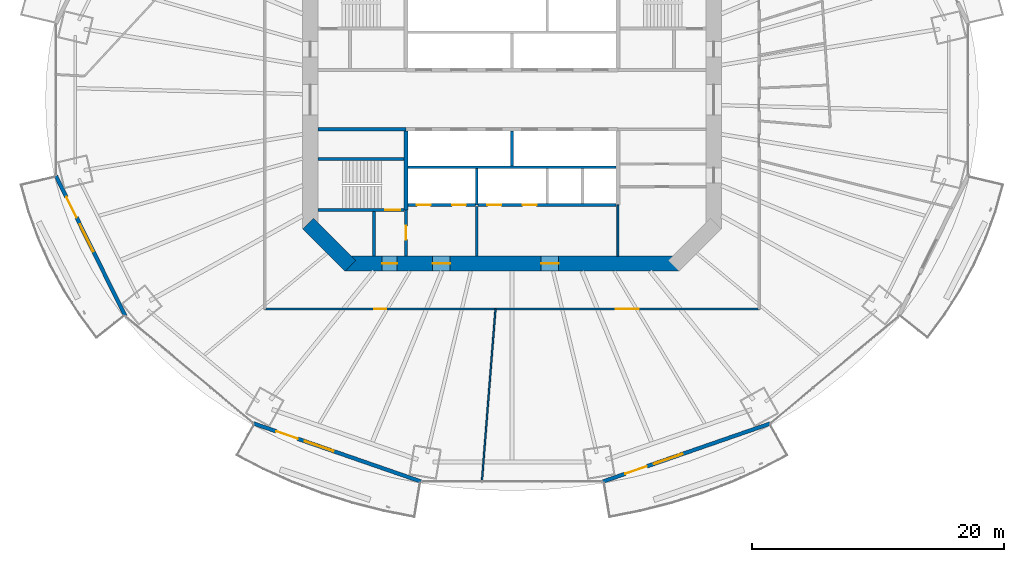
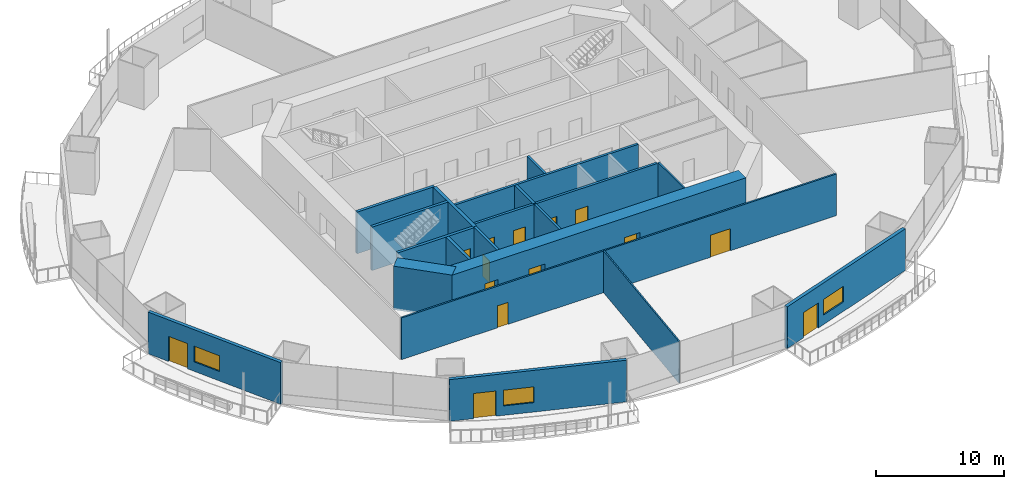
# One storey, part 14 of 23: 20 walls, 14 doors, 3 windows, 17 openings.
"""IFC4 building model written with IfcOpenShell, lengths in metres."""

from ifc_helpers import new_model, si_unit, direction, frame, frame_2d, origin, place, context, subcontext, project, spatial, rectangle, extrude, material, layer, layer_set, type_object, element, fill, save


model = new_model("IFC4")

# Units and contexts
model_context = context("Model", 3, precision=1e-05, world=origin(), true_north=direction((0.0, 1.0)))
body_context = subcontext(model_context, "Body", "Model", "MODEL_VIEW")
ifc_project = project(units=[si_unit("LENGTHUNIT", "METRE"), si_unit("AREAUNIT", "SQUARE_METRE"), si_unit("VOLUMEUNIT", "CUBIC_METRE"), si_unit("PLANEANGLEUNIT", "RADIAN"), si_unit("MASSUNIT", "GRAM", prefix="KILO")], contexts=[model_context])

# Site, building, storey
site_placement = place(None, origin())
site = spatial("IfcSite", under=ifc_project, at=site_placement, CompositionType="ELEMENT")
building_placement = place(site_placement, origin())
building = spatial("IfcBuilding", under=site, at=building_placement, Name="Marenthal Gate Tower", CompositionType="ELEMENT")
storey_placement = place(building_placement, frame((0.0, 0.0, 41.300048828125)))
storey = spatial("IfcBuildingStorey", under=building, at=storey_placement, Name="L06", CompositionType="ELEMENT", Elevation=41.300048828125)

# Wall
ifc_material_1 = material(Name="Concrete 60 MPa", Category="concrete")
ifc_layer_1 = layer(ifc_material_1, 1.199951171875)
ifc_layer_set_1 = layer_set([ifc_layer_1], Name="Core shear wall 1200")
wall_type_1 = type_object("IfcWallType", Name="Core shear wall 1200", PredefinedType="SHEAR", material=ifc_layer_set_1)
wall_1_placement = place(storey_placement, frame((-16.17578125, -9.82421875, -0.179931640625), z_axis=(0.0, 0.0, 1.0), x_axis=(0.707106781187, -0.707106781187, 0.0)))
element("IfcWall", 1, at=wall_1_placement, inside=storey, type_object=wall_type_1, Name="Core wall 07", PredefinedType="SHEAR", context=body_context, shape_type="SweptSolid", body=[
    extrude(rectangle(XDim=4.73974609375, YDim=1.199951171875, at=frame_2d((2.369873046875, 0.0))), origin(), (0.0, 0.0, 1.0), 4.14990234375),
])

# Wall, openings, doors
wall_2_placement = place(storey_placement, frame((-13.24853515625, -13.0, -0.179931640625), z_axis=(0.0, 0.0, 1.0), x_axis=(1.0, 0.0, 0.0)))
wall_2 = element("IfcWall", 2, at=wall_2_placement, inside=storey, type_object=wall_type_1, Name="Core wall 08", PredefinedType="SHEAR", context=body_context, shape_type="SweptSolid", body=[
    extrude(rectangle(XDim=26.4970703125, YDim=1.199951171875, at=frame_2d((13.24853515625, 0.0))), origin(), (0.0, 0.0, 1.0), 4.14990234375),
])
opening_1_placement = place(wall_2_placement, frame((2.948486328125, 0.0, 0.179931640625)))
opening_1 = element("IfcOpeningElement", 3, at=opening_1_placement, cuts=wall_2, Name="Opening D001.06", PredefinedType="OPENING", context=body_context, shape_type="SweptSolid", body=[
    extrude(rectangle(XDim=1.199951171875, YDim=2.10009765625, at=frame_2d((0.60009765625, 1.050048828125))), frame((0.0, 0.60986328125, 0.0), z_axis=(0.0, -1.0, 0.0), x_axis=(1.0, 0.0, 0.0)), (0.0, 0.0, 1.0), 1.219970703125),
])
opening_2_placement = place(wall_2_placement, frame((6.948486328125, 0.0, 0.179931640625)))
opening_2 = element("IfcOpeningElement", 4, at=opening_2_placement, cuts=wall_2, Name="Opening D004.01", PredefinedType="OPENING", context=body_context, shape_type="SweptSolid", body=[
    extrude(rectangle(XDim=1.39990234375, YDim=2.10009765625, at=frame_2d((0.699951171875, 1.050048828125))), frame((0.0, 0.60986328125, 0.0), z_axis=(0.0, -1.0, 0.0), x_axis=(1.0, 0.0, 0.0)), (0.0, 0.0, 1.0), 1.219970703125),
])
opening_3_placement = place(wall_2_placement, frame((15.548583984375, 0.0, 0.179931640625)))
opening_3 = element("IfcOpeningElement", 5, at=opening_3_placement, cuts=wall_2, Name="Opening D004.02", PredefinedType="OPENING", context=body_context, shape_type="SweptSolid", body=[
    extrude(rectangle(XDim=1.39990234375, YDim=2.10009765625, at=frame_2d((0.699951171875, 1.050048828125))), frame((0.0, 0.60986328125, 0.0), z_axis=(0.0, -1.0, 0.0), x_axis=(1.0, 0.0, 0.0)), (0.0, 0.0, 1.0), 1.219970703125),
])
ifc_material_2 = material(Name="Steel fire door", Category="steel")
door_type_1 = type_object("IfcDoorType", Name="Fire door FD 45 1400 x 2100", OperationType="NOTDEFINED", PredefinedType="DOOR", material=ifc_material_2)
door_1_placement = place(opening_2_placement, origin())
door_1 = element("IfcDoor", 6, at=door_1_placement, inside=storey, type_object=door_type_1, Name="Door D004.01", OperationType="SINGLE_SWING_RIGHT", OverallHeight=2.10009765625, OverallWidth=1.39990234375, PredefinedType="DOOR", context=body_context, shape_type="SweptSolid", body=[
    extrude(rectangle(XDim=1.39990234375, YDim=2.10009765625, at=frame_2d((0.699951171875, 1.050048828125))), frame((0.0, 0.02490234375, 0.0), z_axis=(0.0, -1.0, 0.0), x_axis=(1.0, 0.0, 0.0)), (0.0, 0.0, 1.0), 0.050048828125),
])
fill(opening_2, door_1)
door_2_placement = place(opening_3_placement, origin())
door_2 = element("IfcDoor", 7, at=door_2_placement, inside=storey, type_object=door_type_1, Name="Door D004.02", OperationType="SINGLE_SWING_RIGHT", OverallHeight=2.10009765625, OverallWidth=1.39990234375, PredefinedType="DOOR", context=body_context, shape_type="SweptSolid", body=[
    extrude(rectangle(XDim=1.39990234375, YDim=2.10009765625, at=frame_2d((0.699951171875, 1.050048828125))), frame((0.0, 0.02490234375, 0.0), z_axis=(0.0, -1.0, 0.0), x_axis=(1.0, 0.0, 0.0)), (0.0, 0.0, 1.0), 0.050048828125),
])
fill(opening_3, door_2)
ifc_material_3 = material(Name="Steel fire door", Category="steel")
door_type_2 = type_object("IfcDoorType", Name="Fire door FD 90 1200 x 2100", OperationType="NOTDEFINED", PredefinedType="DOOR", material=ifc_material_3)
door_3_placement = place(opening_1_placement, origin())
door_3 = element("IfcDoor", 8, at=door_3_placement, inside=storey, type_object=door_type_2, Name="Door D001.06", OperationType="SINGLE_SWING_RIGHT", OverallHeight=2.10009765625, OverallWidth=1.199951171875, PredefinedType="DOOR", context=body_context, shape_type="SweptSolid", body=[
    extrude(rectangle(XDim=1.199951171875, YDim=2.10009765625, at=frame_2d((0.60009765625, 1.050048828125))), frame((0.0, 0.02490234375, 0.0), z_axis=(0.0, -1.0, 0.0), x_axis=(1.0, 0.0, 0.0)), (0.0, 0.0, 1.0), 0.050048828125),
])
fill(opening_1, door_3)

# Walls
ifc_material_4 = material(Name="Gypsum board on steel studs", Category="steel")
ifc_layer_2 = layer(ifc_material_4, 0.199951171875)
ifc_layer_set_2 = layer_set([ifc_layer_2], Name="Fire lobby wall 200")
wall_type_2 = type_object("IfcWallType", Name="Fire lobby wall 200", PredefinedType="PARTITIONING", material=ifc_layer_set_2)
wall_3_placement = place(storey_placement, frame((-2.800048828125, -12.39990234375, 0.0), z_axis=(0.0, 0.0, 1.0), x_axis=(0.0, 1.0, 0.0)))
element("IfcWall", 9, at=wall_3_placement, inside=storey, type_object=wall_type_2, Name="Fire wall 35", PredefinedType="PARTITIONING", context=body_context, shape_type="SweptSolid", body=[
    extrude(rectangle(XDim=3.93994140625, YDim=0.199951171875, at=frame_2d((1.969970703125, 0.0))), origin(), (0.0, 0.0, 1.0), 3.969970703125),
])
ifc_material_5 = material(Name="Concrete 50 MPa", Category="concrete")
ifc_layer_3 = layer(ifc_material_5, 0.300048828125)
ifc_layer_set_3 = layer_set([ifc_layer_3], Name="Hoistway shear wall 300")
wall_type_3 = type_object("IfcWallType", Name="Hoistway shear wall 300", PredefinedType="SHEAR", material=ifc_layer_set_3)
wall_4_placement = place(storey_placement, frame((-8.39990234375, -8.75, -0.179931640625), z_axis=(0.0, 0.0, 1.0), x_axis=(0.0, 1.0, 0.0)))
element("IfcWall", 10, at=wall_4_placement, inside=storey, type_object=wall_type_3, Name="Hoistway wall 31", PredefinedType="SHEAR", context=body_context, shape_type="SweptSolid", body=[
    extrude(rectangle(XDim=6.25, YDim=0.300048828125, at=frame_2d((3.125, 0.0))), origin(), (0.0, 0.0, 1.0), 4.14990234375),
])

# Wall, openings, doors
ifc_material_6 = material(Name="Concrete 40 MPa", Category="concrete")
ifc_layer_4 = layer(ifc_material_6, 0.219970703125)
ifc_layer_set_4 = layer_set([ifc_layer_4], Name="Hoistway wall 220")
wall_type_4 = type_object("IfcWallType", Name="Hoistway wall 220", PredefinedType="STANDARD", material=ifc_layer_set_4)
wall_5_placement = place(storey_placement, frame((-8.25, -8.35009765625, 0.0), z_axis=(0.0, 0.0, 1.0), x_axis=(1.0, 0.0, 0.0)))
wall_5 = element("IfcWall", 11, at=wall_5_placement, inside=storey, type_object=wall_type_4, Name="Hoistway wall 10", PredefinedType="STANDARD", context=body_context, shape_type="SweptSolid", body=[
    extrude(rectangle(XDim=5.340087890625, YDim=0.219970703125, at=frame_2d((2.669921875, 0.0))), origin(), (0.0, 0.0, 1.0), 3.969970703125),
])
opening_4_placement = place(wall_5_placement, frame((0.699951171875, 0.0, 0.0)))
opening_4 = element("IfcOpeningElement", 12, at=opening_4_placement, cuts=wall_5, Name="Opening LD-LF1", PredefinedType="OPENING", context=body_context, shape_type="SweptSolid", body=[
    extrude(rectangle(XDim=1.10009765625, YDim=2.10009765625, at=frame_2d((0.550048828125, 1.050048828125))), frame((0.0, 0.1201171875, 0.0), z_axis=(0.0, -1.0, 0.0), x_axis=(1.0, 0.0, 0.0)), (0.0, 0.0, 1.0), 0.239990234375),
])
opening_5_placement = place(wall_5_placement, frame((3.5, 0.0, 0.0)))
opening_5 = element("IfcOpeningElement", 13, at=opening_5_placement, cuts=wall_5, Name="Opening LD-LF2", PredefinedType="OPENING", context=body_context, shape_type="SweptSolid", body=[
    extrude(rectangle(XDim=1.10009765625, YDim=2.10009765625, at=frame_2d((0.550048828125, 1.050048828125))), frame((0.0, 0.1201171875, 0.0), z_axis=(0.0, -1.0, 0.0), x_axis=(1.0, 0.0, 0.0)), (0.0, 0.0, 1.0), 0.239990234375),
])
ifc_material_7 = material(Name="Stainless steel sliding door", Category="steel")
door_type_3 = type_object("IfcDoorType", Name="Lift landing door FD 90 1100 x 2100", OperationType="DOUBLE_DOOR_SLIDING", PredefinedType="DOOR", material=ifc_material_7)
door_4_placement = place(opening_4_placement, origin())
door_4 = element("IfcDoor", 14, at=door_4_placement, inside=storey, type_object=door_type_3, Name="Lift landing door LF1", OperationType="DOUBLE_DOOR_SLIDING", OverallHeight=2.10009765625, OverallWidth=1.10009765625, PredefinedType="DOOR", context=body_context, shape_type="SweptSolid", body=[
    extrude(rectangle(XDim=1.10009765625, YDim=2.10009765625, at=frame_2d((0.550048828125, 1.050048828125))), frame((0.0, 0.02490234375, 0.0), z_axis=(0.0, -1.0, 0.0), x_axis=(1.0, 0.0, 0.0)), (0.0, 0.0, 1.0), 0.050048828125),
])
fill(opening_4, door_4)
door_5_placement = place(opening_5_placement, origin())
door_5 = element("IfcDoor", 15, at=door_5_placement, inside=storey, type_object=door_type_3, Name="Lift landing door LF2", OperationType="DOUBLE_DOOR_SLIDING", OverallHeight=2.10009765625, OverallWidth=1.10009765625, PredefinedType="DOOR", context=body_context, shape_type="SweptSolid", body=[
    extrude(rectangle(XDim=1.10009765625, YDim=2.10009765625, at=frame_2d((0.550048828125, 1.050048828125))), frame((0.0, 0.02490234375, 0.0), z_axis=(0.0, -1.0, 0.0), x_axis=(1.0, 0.0, 0.0)), (0.0, 0.0, 1.0), 0.050048828125),
])
fill(opening_5, door_5)

wall_6_placement = place(storey_placement, frame((-2.68994140625, -8.35009765625, 0.0), z_axis=(0.0, 0.0, 1.0), x_axis=(1.0, 0.0, 0.0)))
wall_6 = element("IfcWall", 16, at=wall_6_placement, inside=storey, type_object=wall_type_4, Name="Hoistway wall 11", PredefinedType="STANDARD", context=body_context, shape_type="SweptSolid", body=[
    extrude(rectangle(XDim=10.93994140625, YDim=0.219970703125, at=frame_2d((5.469970703125, 0.0))), origin(), (0.0, 0.0, 1.0), 3.969970703125),
])
opening_6_placement = place(wall_6_placement, frame((0.739990234375, 0.0, 0.0)))
opening_6 = element("IfcOpeningElement", 17, at=opening_6_placement, cuts=wall_6, Name="Opening LD-SV1", PredefinedType="OPENING", context=body_context, shape_type="SweptSolid", body=[
    extrude(rectangle(XDim=1.10009765625, YDim=2.10009765625, at=frame_2d((0.550048828125, 1.050048828125))), frame((0.0, 0.1201171875, 0.0), z_axis=(0.0, -1.0, 0.0), x_axis=(1.0, 0.0, 0.0)), (0.0, 0.0, 1.0), 0.239990234375),
])
opening_7_placement = place(wall_6_placement, frame((3.5400390625, 0.0, 0.0)))
opening_7 = element("IfcOpeningElement", 18, at=opening_7_placement, cuts=wall_6, Name="Opening LD-SV2", PredefinedType="OPENING", context=body_context, shape_type="SweptSolid", body=[
    extrude(rectangle(XDim=1.10009765625, YDim=2.10009765625, at=frame_2d((0.550048828125, 1.050048828125))), frame((0.0, 0.1201171875, 0.0), z_axis=(0.0, -1.0, 0.0), x_axis=(1.0, 0.0, 0.0)), (0.0, 0.0, 1.0), 0.239990234375),
])
door_6_placement = place(opening_6_placement, origin())
door_6 = element("IfcDoor", 19, at=door_6_placement, inside=storey, type_object=door_type_3, Name="Lift landing door SV1", OperationType="DOUBLE_DOOR_SLIDING", OverallHeight=2.10009765625, OverallWidth=1.10009765625, PredefinedType="DOOR", context=body_context, shape_type="SweptSolid", body=[
    extrude(rectangle(XDim=1.10009765625, YDim=2.10009765625, at=frame_2d((0.550048828125, 1.050048828125))), frame((0.0, 0.02490234375, 0.0), z_axis=(0.0, -1.0, 0.0), x_axis=(1.0, 0.0, 0.0)), (0.0, 0.0, 1.0), 0.050048828125),
])
fill(opening_6, door_6)
door_7_placement = place(opening_7_placement, origin())
door_7 = element("IfcDoor", 20, at=door_7_placement, inside=storey, type_object=door_type_3, Name="Lift landing door SV2", OperationType="DOUBLE_DOOR_SLIDING", OverallHeight=2.10009765625, OverallWidth=1.10009765625, PredefinedType="DOOR", context=body_context, shape_type="SweptSolid", body=[
    extrude(rectangle(XDim=1.10009765625, YDim=2.10009765625, at=frame_2d((0.550048828125, 1.050048828125))), frame((0.0, 0.02490234375, 0.0), z_axis=(0.0, -1.0, 0.0), x_axis=(1.0, 0.0, 0.0)), (0.0, 0.0, 1.0), 0.050048828125),
])
fill(opening_7, door_7)

# Walls
wall_7_placement = place(storey_placement, frame((-8.25, -5.35009765625, 0.0), z_axis=(0.0, 0.0, 1.0), x_axis=(1.0, 0.0, 0.0)))
element("IfcWall", 21, at=wall_7_placement, inside=storey, type_object=wall_type_4, Name="Hoistway wall 13", PredefinedType="STANDARD", context=body_context, shape_type="SweptSolid", body=[
    extrude(rectangle(XDim=16.5, YDim=0.219970703125, at=frame_2d((8.25, 0.0))), origin(), (0.0, 0.0, 1.0), 3.969970703125),
])
wall_8_placement = place(storey_placement, frame((-2.800048828125, -8.35009765625, 0.0), z_axis=(0.0, 0.0, 1.0), x_axis=(0.0, 1.0, 0.0)))
element("IfcWall", 22, at=wall_8_placement, inside=storey, type_object=wall_type_4, Name="Hoistway wall 36", PredefinedType="STANDARD", context=body_context, shape_type="SweptSolid", body=[
    extrude(rectangle(XDim=2.89013671875, YDim=0.219970703125, at=frame_2d((1.445068359375, 0.0))), origin(), (0.0, 0.0, 1.0), 3.969970703125),
])
wall_9_placement = place(storey_placement, frame((0.0, -5.239990234375, 0.0), z_axis=(0.0, 0.0, 1.0), x_axis=(0.0, 1.0, 0.0)))
element("IfcWall", 23, at=wall_9_placement, inside=storey, type_object=wall_type_4, Name="Hoistway wall 37", PredefinedType="STANDARD", context=body_context, shape_type="SweptSolid", body=[
    extrude(rectangle(XDim=2.739990234375, YDim=0.219970703125, at=frame_2d((1.3701171875, 0.0))), origin(), (0.0, 0.0, 1.0), 3.969970703125),
])
ifc_material_8 = material(Name="Gypsum board on steel studs", Category="steel")
ifc_layer_5 = layer(ifc_material_8, 0.1201171875)
ifc_layer_set_5 = layer_set([ifc_layer_5], Name="Partition 120")
wall_type_5 = type_object("IfcWallType", Name="Partition 120", PredefinedType="PARTITIONING", material=ifc_layer_set_5)
wall_10_placement = place(storey_placement, frame((-1.30908203125, -16.60009765625, 0.0), z_axis=(0.0, 0.0, 1.0), x_axis=(-0.078600169401, -0.996906220951, 0.0)))
element("IfcWall", 24, at=wall_10_placement, inside=storey, type_object=wall_type_5, Name="Partition wall 53", PredefinedType="PARTITIONING", context=body_context, shape_type="SweptSolid", body=[
    extrude(rectangle(XDim=13.72900390625, YDim=0.1201171875, at=frame_2d((6.864501953125, 0.0))), origin(), (0.0, 0.0, 1.0), 3.969970703125),
])
ifc_material_9 = material(Name="Gypsum board on steel studs", Category="steel")
ifc_layer_6 = layer(ifc_material_9, 0.14990234375)
ifc_layer_set_6 = layer_set([ifc_layer_6], Name="Partition 150")
wall_type_6 = type_object("IfcWallType", Name="Partition 150", PredefinedType="PARTITIONING", material=ifc_layer_set_6)
wall_11_placement = place(storey_placement, frame((8.39990234375, -12.39990234375, 0.0), z_axis=(0.0, 0.0, 1.0), x_axis=(0.0, 1.0, 0.0)))
element("IfcWall", 25, at=wall_11_placement, inside=storey, type_object=wall_type_6, Name="Partition wall 42", PredefinedType="PARTITIONING", context=body_context, shape_type="SweptSolid", body=[
    extrude(rectangle(XDim=4.0498046875, YDim=0.14990234375, at=frame_2d((2.02490234375, 0.0))), origin(), (0.0, 0.0, 1.0), 3.969970703125),
])

# Wall, openings, doors
wall_12_placement = place(storey_placement, frame((19.60009765625, -16.60009765625, 0.0), z_axis=(0.0, 0.0, 1.0), x_axis=(-1.0, 0.0, 0.0)))
wall_12 = element("IfcWall", 26, at=wall_12_placement, inside=storey, type_object=wall_type_6, Name="Partition wall 54", PredefinedType="PARTITIONING", context=body_context, shape_type="SweptSolid", body=[
    extrude(rectangle(XDim=39.2001953125, YDim=0.14990234375, at=frame_2d((19.60009765625, 0.0))), origin(), (0.0, 0.0, 1.0), 3.969970703125),
])
opening_8_placement = place(wall_12_placement, frame((29.580078125, 0.0, 0.0)))
opening_8 = element("IfcOpeningElement", 27, at=opening_8_placement, cuts=wall_12, Name="Opening D016.02", PredefinedType="OPENING", context=body_context, shape_type="SweptSolid", body=[
    extrude(rectangle(XDim=0.949951171875, YDim=2.10009765625, at=frame_2d((0.47509765625, 1.050048828125))), frame((0.0, 0.0849609375, 0.0), z_axis=(0.0, -1.0, 0.0), x_axis=(1.0, 0.0, 0.0)), (0.0, 0.0, 1.0), 0.169921875),
])
opening_9_placement = place(wall_12_placement, frame((9.554931640625, 0.0, 0.0)))
opening_9 = element("IfcOpeningElement", 28, at=opening_9_placement, cuts=wall_12, Name="Opening D014.03", PredefinedType="OPENING", context=body_context, shape_type="SweptSolid", body=[
    extrude(rectangle(XDim=1.800048828125, YDim=2.10009765625, at=frame_2d((0.89990234375, 1.050048828125))), frame((0.0, 0.0849609375, 0.0), z_axis=(0.0, -1.0, 0.0), x_axis=(1.0, 0.0, 0.0)), (0.0, 0.0, 1.0), 0.169921875),
])
ifc_material_10 = material(Name="Timber door", Category="wood")
door_type_4 = type_object("IfcDoorType", Name="Door 950 x 2100", OperationType="NOTDEFINED", PredefinedType="DOOR", material=ifc_material_10)
door_8_placement = place(opening_8_placement, origin())
door_8 = element("IfcDoor", 29, at=door_8_placement, inside=storey, type_object=door_type_4, Name="Door D016.02", OperationType="SINGLE_SWING_RIGHT", OverallHeight=2.10009765625, OverallWidth=0.949951171875, PredefinedType="DOOR", context=body_context, shape_type="SweptSolid", body=[
    extrude(rectangle(XDim=0.949951171875, YDim=2.10009765625, at=frame_2d((0.47509765625, 1.050048828125))), frame((0.0, 0.02490234375, 0.0), z_axis=(0.0, -1.0, 0.0), x_axis=(1.0, 0.0, 0.0)), (0.0, 0.0, 1.0), 0.050048828125),
])
fill(opening_8, door_8)
ifc_material_11 = material(Name="Timber door", Category="wood")
door_type_5 = type_object("IfcDoorType", Name="Double door 1800 x 2100", OperationType="DOUBLE_DOOR_SINGLE_SWING", PredefinedType="DOOR", material=ifc_material_11)
door_9_placement = place(opening_9_placement, origin())
door_9 = element("IfcDoor", 30, at=door_9_placement, inside=storey, type_object=door_type_5, Name="Door D014.03", OperationType="DOUBLE_DOOR_SINGLE_SWING", OverallHeight=2.10009765625, OverallWidth=1.800048828125, PredefinedType="DOOR", context=body_context, shape_type="SweptSolid", body=[
    extrude(rectangle(XDim=1.800048828125, YDim=2.10009765625, at=frame_2d((0.89990234375, 1.050048828125))), frame((0.0, 0.02490234375, 0.0), z_axis=(0.0, -1.0, 0.0), x_axis=(1.0, 0.0, 0.0)), (0.0, 0.0, 1.0), 0.050048828125),
])
fill(opening_9, door_9)

# Walls
ifc_material_12 = material(Name="Concrete 40 MPa", Category="concrete")
ifc_layer_7 = layer(ifc_material_12, 0.25)
ifc_layer_set_7 = layer_set([ifc_layer_7], Name="Stair enclosure wall 250")
wall_type_7 = type_object("IfcWallType", Name="Stair enclosure wall 250", PredefinedType="STANDARD", material=ifc_layer_set_7)
wall_13_placement = place(storey_placement, frame((-15.39990234375, -2.35009765625, 0.0), z_axis=(0.0, 0.0, 1.0), x_axis=(1.0, 0.0, 0.0)))
element("IfcWall", 31, at=wall_13_placement, inside=storey, type_object=wall_type_7, Name="Stair wall 16", PredefinedType="STANDARD", context=body_context, shape_type="SweptSolid", body=[
    extrude(rectangle(XDim=7.0, YDim=0.25, at=frame_2d((3.5, 0.0))), origin(), (0.0, 0.0, 1.0), 3.969970703125),
])
wall_14_placement = place(storey_placement, frame((-10.949951171875, -12.39990234375, 0.0), z_axis=(0.0, 0.0, 1.0), x_axis=(0.0, 1.0, 0.0)))
element("IfcWall", 32, at=wall_14_placement, inside=storey, type_object=wall_type_7, Name="Stair wall 29", PredefinedType="STANDARD", context=body_context, shape_type="SweptSolid", body=[
    extrude(rectangle(XDim=3.52490234375, YDim=0.25, at=frame_2d((1.762451171875, 0.0))), origin(), (0.0, 0.0, 1.0), 3.969970703125),
])

# Wall, opening, door
wall_15_placement = place(storey_placement, frame((-8.39990234375, -12.39990234375, 0.0), z_axis=(0.0, 0.0, 1.0), x_axis=(0.0, 1.0, 0.0)))
wall_15 = element("IfcWall", 33, at=wall_15_placement, inside=storey, type_object=wall_type_7, Name="Stair wall 30", PredefinedType="STANDARD", context=body_context, shape_type="SweptSolid", body=[
    extrude(rectangle(XDim=3.64990234375, YDim=0.25, at=frame_2d((1.824951171875, 0.0))), origin(), (0.0, 0.0, 1.0), 3.969970703125),
])
opening_10_placement = place(wall_15_placement, frame((1.300048828125, 0.0, 0.0)))
opening_10 = element("IfcOpeningElement", 34, at=opening_10_placement, cuts=wall_15, Name="Opening D002.01", PredefinedType="OPENING", context=body_context, shape_type="SweptSolid", body=[
    extrude(rectangle(XDim=1.10009765625, YDim=2.10009765625, at=frame_2d((0.550048828125, 1.050048828125))), frame((0.0, 0.135009765625, 0.0), z_axis=(0.0, -1.0, 0.0), x_axis=(1.0, 0.0, 0.0)), (0.0, 0.0, 1.0), 0.27001953125),
])
ifc_material_13 = material(Name="Steel fire door", Category="steel")
door_type_6 = type_object("IfcDoorType", Name="Fire door FD 90 1100 x 2100", OperationType="NOTDEFINED", PredefinedType="DOOR", material=ifc_material_13)
door_10_placement = place(opening_10_placement, origin())
door_10 = element("IfcDoor", 35, at=door_10_placement, inside=storey, type_object=door_type_6, Name="Door D002.01", OperationType="SINGLE_SWING_RIGHT", OverallHeight=2.10009765625, OverallWidth=1.10009765625, PredefinedType="DOOR", context=body_context, shape_type="SweptSolid", body=[
    extrude(rectangle(XDim=1.10009765625, YDim=2.10009765625, at=frame_2d((0.550048828125, 1.050048828125))), frame((0.0, 0.02490234375, 0.0), z_axis=(0.0, -1.0, 0.0), x_axis=(1.0, 0.0, 0.0)), (0.0, 0.0, 1.0), 0.050048828125),
])
fill(opening_10, door_10)

ifc_material_14 = material(Name="Concrete 50 MPa", Category="concrete")
ifc_layer_8 = layer(ifc_material_14, 0.25)
ifc_layer_set_8 = layer_set([ifc_layer_8], Name="Stair shear wall 250")
wall_type_8 = type_object("IfcWallType", Name="Stair shear wall 250", PredefinedType="SHEAR", material=ifc_layer_set_8)
wall_16_placement = place(storey_placement, frame((-15.39990234375, -8.75, -0.179931640625), z_axis=(0.0, 0.0, 1.0), x_axis=(1.0, 0.0, 0.0)))
wall_16 = element("IfcWall", 36, at=wall_16_placement, inside=storey, type_object=wall_type_8, Name="Stair wall 09", PredefinedType="SHEAR", context=body_context, shape_type="SweptSolid", body=[
    extrude(rectangle(XDim=6.849853515625, YDim=0.25, at=frame_2d((3.4248046875, 0.0))), origin(), (0.0, 0.0, 1.0), 4.14990234375),
])
opening_11_placement = place(wall_16_placement, frame((5.35009765625, 0.0, 0.179931640625)))
opening_11 = element("IfcOpeningElement", 37, at=opening_11_placement, cuts=wall_16, Name="Opening D001.03", PredefinedType="OPENING", context=body_context, shape_type="SweptSolid", body=[
    extrude(rectangle(XDim=1.199951171875, YDim=2.10009765625, at=frame_2d((0.60009765625, 1.050048828125))), frame((0.0, 0.135009765625, 0.0), z_axis=(0.0, -1.0, 0.0), x_axis=(1.0, 0.0, 0.0)), (0.0, 0.0, 1.0), 0.27001953125),
])
door_11_placement = place(opening_11_placement, origin())
door_11 = element("IfcDoor", 38, at=door_11_placement, inside=storey, type_object=door_type_2, Name="Door D001.03", OperationType="SINGLE_SWING_RIGHT", OverallHeight=2.10009765625, OverallWidth=1.199951171875, PredefinedType="DOOR", context=body_context, shape_type="SweptSolid", body=[
    extrude(rectangle(XDim=1.199951171875, YDim=2.10009765625, at=frame_2d((0.60009765625, 1.050048828125))), frame((0.0, 0.02490234375, 0.0), z_axis=(0.0, -1.0, 0.0), x_axis=(1.0, 0.0, 0.0)), (0.0, 0.0, 1.0), 0.050048828125),
])
fill(opening_11, door_11)

# Wall
wall_17_placement = place(storey_placement, frame((-15.39990234375, -4.699951171875, -0.179931640625), z_axis=(0.0, 0.0, 1.0), x_axis=(1.0, 0.0, 0.0)))
element("IfcWall", 39, at=wall_17_placement, inside=storey, type_object=wall_type_8, Name="Stair wall 15", PredefinedType="SHEAR", context=body_context, shape_type="SweptSolid", body=[
    extrude(rectangle(XDim=6.849853515625, YDim=0.25, at=frame_2d((3.4248046875, 0.0))), origin(), (0.0, 0.0, 1.0), 4.14990234375),
])

# Wall, openings, door, window
ifc_material_15 = material(Name="Terracotta cladding on insulated concrete-block backing", Category="masonry")
ifc_layer_9 = layer(ifc_material_15, 0.300048828125)
ifc_layer_set_9 = layer_set([ifc_layer_9], Name="Terracotta facade wall 300")
wall_type_9 = type_object("IfcWallType", Name="Terracotta facade wall 300", PredefinedType="SOLIDWALL", material=ifc_layer_set_9)
wall_18_placement = place(storey_placement, frame((-36.17138671875, -6.0244140625, 0.0), z_axis=(0.0, 0.0, 1.0), x_axis=(0.443411588907, -0.896318114747, 0.0)))
wall_18 = element("IfcWall", 40, at=wall_18_placement, inside=storey, type_object=wall_type_9, Name="Terracotta facade wall L06 bay 9", PredefinedType="SOLIDWALL", context=body_context, shape_type="SweptSolid", body=[
    extrude(rectangle(XDim=12.419189453125, YDim=0.300048828125, at=frame_2d((6.20947265625, 0.0))), origin(), (0.0, 0.0, 1.0), 3.969970703125),
])
opening_12_placement = place(wall_18_placement, frame((1.89990234375, 0.0, 0.0)))
opening_12 = element("IfcOpeningElement", 41, at=opening_12_placement, cuts=wall_18, Name="Opening BD-L06-09", PredefinedType="OPENING", context=body_context, shape_type="SweptSolid", body=[
    extrude(rectangle(XDim=1.800048828125, YDim=2.39990234375, at=frame_2d((0.89990234375, 1.199951171875))), frame((0.0, 0.16015625, 0.0), z_axis=(0.0, -1.0, 0.0), x_axis=(1.0, 0.0, 0.0)), (0.0, 0.0, 1.0), 0.320068359375),
])
opening_13_placement = place(wall_18_placement, frame((4.300048828125, 0.0, 0.89990234375)))
opening_13 = element("IfcOpeningElement", 42, at=opening_13_placement, cuts=wall_18, Name="Opening WN1-L06-09", PredefinedType="OPENING", context=body_context, shape_type="SweptSolid", body=[
    extrude(rectangle(XDim=2.39990234375, YDim=1.5, at=frame_2d((1.199951171875, 0.75))), frame((0.0, 0.16015625, 0.0), z_axis=(0.0, -1.0, 0.0), x_axis=(1.0, 0.0, 0.0)), (0.0, 0.0, 1.0), 0.320068359375),
])
ifc_material_16 = material(Name="Aluminium and glass", Category="aluminium")
door_type_7 = type_object("IfcDoorType", Name="Balcony door 1800x2400", OperationType="DOUBLE_DOOR_SINGLE_SWING", PredefinedType="DOOR", material=ifc_material_16)
door_12_placement = place(opening_12_placement, origin())
door_12 = element("IfcDoor", 43, at=door_12_placement, inside=storey, type_object=door_type_7, Name="Balcony door L06 bay 9", OperationType="SINGLE_SWING_LEFT", OverallHeight=2.39990234375, OverallWidth=1.800048828125, PredefinedType="DOOR", context=body_context, shape_type="SweptSolid", body=[
    extrude(rectangle(XDim=1.800048828125, YDim=2.39990234375, at=frame_2d((0.89990234375, 1.199951171875))), frame((0.0, 0.02490234375, 0.0), z_axis=(0.0, -1.0, 0.0), x_axis=(1.0, 0.0, 0.0)), (0.0, 0.0, 1.0), 0.050048828125),
])
fill(opening_12, door_12)
ifc_material_17 = material(Name="Aluminium and glass", Category="aluminium")
window_type = type_object("IfcWindowType", Name="Window 2400x1500", PartitioningType="TRIPLE_PANEL_VERTICAL", PredefinedType="WINDOW", material=ifc_material_17)
window_1_placement = place(opening_13_placement, origin())
window_1 = element("IfcWindow", 44, at=window_1_placement, inside=storey, type_object=window_type, Name="Window L06 bay 9", OverallHeight=1.5, OverallWidth=2.39990234375, PartitioningType="SINGLE_PANEL", PredefinedType="WINDOW", context=body_context, shape_type="SweptSolid", body=[
    extrude(rectangle(XDim=2.39990234375, YDim=1.5, at=frame_2d((1.199951171875, 0.75))), frame((0.0, 0.030029296875, 0.0), z_axis=(0.0, -1.0, 0.0), x_axis=(1.0, 0.0, 0.0)), (0.0, 0.0, 1.0), 0.06005859375),
])
fill(opening_13, window_1)

wall_19_placement = place(storey_placement, frame((-20.489501953125, -25.67578125, 0.0), z_axis=(0.0, 0.0, 1.0), x_axis=(0.944791803015, -0.327671251341, 0.0)))
wall_19 = element("IfcWall", 45, at=wall_19_placement, inside=storey, type_object=wall_type_9, Name="Terracotta facade wall L06 bay 11", PredefinedType="SOLIDWALL", context=body_context, shape_type="SweptSolid", body=[
    extrude(rectangle(XDim=14.071533203125, YDim=0.300048828125, at=frame_2d((7.03564453125, 0.0))), origin(), (0.0, 0.0, 1.0), 3.969970703125),
])
opening_14_placement = place(wall_19_placement, frame((1.89990234375, 0.0, 0.0)))
opening_14 = element("IfcOpeningElement", 46, at=opening_14_placement, cuts=wall_19, Name="Opening BD-L06-11", PredefinedType="OPENING", context=body_context, shape_type="SweptSolid", body=[
    extrude(rectangle(XDim=1.800048828125, YDim=2.39990234375, at=frame_2d((0.89990234375, 1.199951171875))), frame((0.0, 0.16015625, 0.0), z_axis=(0.0, -1.0, 0.0), x_axis=(1.0, 0.0, 0.0)), (0.0, 0.0, 1.0), 0.320068359375),
])
opening_15_placement = place(wall_19_placement, frame((4.300048828125, 0.0, 0.89990234375)))
opening_15 = element("IfcOpeningElement", 47, at=opening_15_placement, cuts=wall_19, Name="Opening WN1-L06-11", PredefinedType="OPENING", context=body_context, shape_type="SweptSolid", body=[
    extrude(rectangle(XDim=2.39990234375, YDim=1.5, at=frame_2d((1.199951171875, 0.75))), frame((0.0, 0.16015625, 0.0), z_axis=(0.0, -1.0, 0.0), x_axis=(1.0, 0.0, 0.0)), (0.0, 0.0, 1.0), 0.320068359375),
])
door_13_placement = place(opening_14_placement, origin())
door_13 = element("IfcDoor", 48, at=door_13_placement, inside=storey, type_object=door_type_7, Name="Balcony door L06 bay 11", OperationType="SINGLE_SWING_LEFT", OverallHeight=2.39990234375, OverallWidth=1.800048828125, PredefinedType="DOOR", context=body_context, shape_type="SweptSolid", body=[
    extrude(rectangle(XDim=1.800048828125, YDim=2.39990234375, at=frame_2d((0.89990234375, 1.199951171875))), frame((0.0, 0.02490234375, 0.0), z_axis=(0.0, -1.0, 0.0), x_axis=(1.0, 0.0, 0.0)), (0.0, 0.0, 1.0), 0.050048828125),
])
fill(opening_14, door_13)
window_2_placement = place(opening_15_placement, origin())
window_2 = element("IfcWindow", 49, at=window_2_placement, inside=storey, type_object=window_type, Name="Window L06 bay 11", OverallHeight=1.5, OverallWidth=2.39990234375, PartitioningType="SINGLE_PANEL", PredefinedType="WINDOW", context=body_context, shape_type="SweptSolid", body=[
    extrude(rectangle(XDim=2.39990234375, YDim=1.5, at=frame_2d((1.199951171875, 0.75))), frame((0.0, 0.030029296875, 0.0), z_axis=(0.0, -1.0, 0.0), x_axis=(1.0, 0.0, 0.0)), (0.0, 0.0, 1.0), 0.06005859375),
])
fill(opening_15, window_2)

wall_20_placement = place(storey_placement, frame((7.19482421875, -30.28662109375, 0.0), z_axis=(0.0, 0.0, 1.0), x_axis=(0.944791803015, 0.327671251341, 0.0)))
wall_20 = element("IfcWall", 50, at=wall_20_placement, inside=storey, type_object=wall_type_9, Name="Terracotta facade wall L06 bay 13", PredefinedType="SOLIDWALL", context=body_context, shape_type="SweptSolid", body=[
    extrude(rectangle(XDim=14.071533203125, YDim=0.300048828125, at=frame_2d((7.03564453125, 0.0))), origin(), (0.0, 0.0, 1.0), 3.969970703125),
])
opening_16_placement = place(wall_20_placement, frame((1.89990234375, 0.0, 0.0)))
opening_16 = element("IfcOpeningElement", 51, at=opening_16_placement, cuts=wall_20, Name="Opening BD-L06-13", PredefinedType="OPENING", context=body_context, shape_type="SweptSolid", body=[
    extrude(rectangle(XDim=1.800048828125, YDim=2.39990234375, at=frame_2d((0.89990234375, 1.199951171875))), frame((0.0, 0.16015625, 0.0), z_axis=(0.0, -1.0, 0.0), x_axis=(1.0, 0.0, 0.0)), (0.0, 0.0, 1.0), 0.320068359375),
])
opening_17_placement = place(wall_20_placement, frame((4.300048828125, 0.0, 0.89990234375)))
opening_17 = element("IfcOpeningElement", 52, at=opening_17_placement, cuts=wall_20, Name="Opening WN1-L06-13", PredefinedType="OPENING", context=body_context, shape_type="SweptSolid", body=[
    extrude(rectangle(XDim=2.39990234375, YDim=1.5, at=frame_2d((1.199951171875, 0.75))), frame((0.0, 0.16015625, 0.0), z_axis=(0.0, -1.0, 0.0), x_axis=(1.0, 0.0, 0.0)), (0.0, 0.0, 1.0), 0.320068359375),
])
door_14_placement = place(opening_16_placement, origin())
door_14 = element("IfcDoor", 53, at=door_14_placement, inside=storey, type_object=door_type_7, Name="Balcony door L06 bay 13", OperationType="SINGLE_SWING_LEFT", OverallHeight=2.39990234375, OverallWidth=1.800048828125, PredefinedType="DOOR", context=body_context, shape_type="SweptSolid", body=[
    extrude(rectangle(XDim=1.800048828125, YDim=2.39990234375, at=frame_2d((0.89990234375, 1.199951171875))), frame((0.0, 0.02490234375, 0.0), z_axis=(0.0, -1.0, 0.0), x_axis=(1.0, 0.0, 0.0)), (0.0, 0.0, 1.0), 0.050048828125),
])
fill(opening_16, door_14)
window_3_placement = place(opening_17_placement, origin())
window_3 = element("IfcWindow", 54, at=window_3_placement, inside=storey, type_object=window_type, Name="Window L06 bay 13", OverallHeight=1.5, OverallWidth=2.39990234375, PartitioningType="SINGLE_PANEL", PredefinedType="WINDOW", context=body_context, shape_type="SweptSolid", body=[
    extrude(rectangle(XDim=2.39990234375, YDim=1.5, at=frame_2d((1.199951171875, 0.75))), frame((0.0, 0.030029296875, 0.0), z_axis=(0.0, -1.0, 0.0), x_axis=(1.0, 0.0, 0.0)), (0.0, 0.0, 1.0), 0.06005859375),
])
fill(opening_17, window_3)

save(model, "model.ifc")
